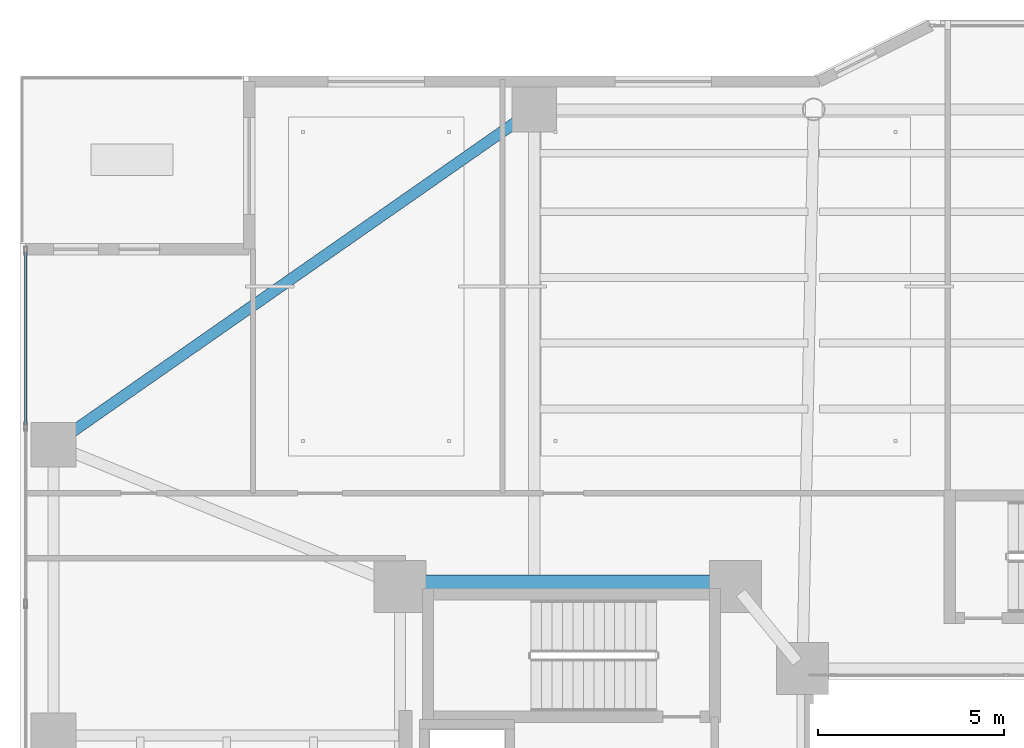
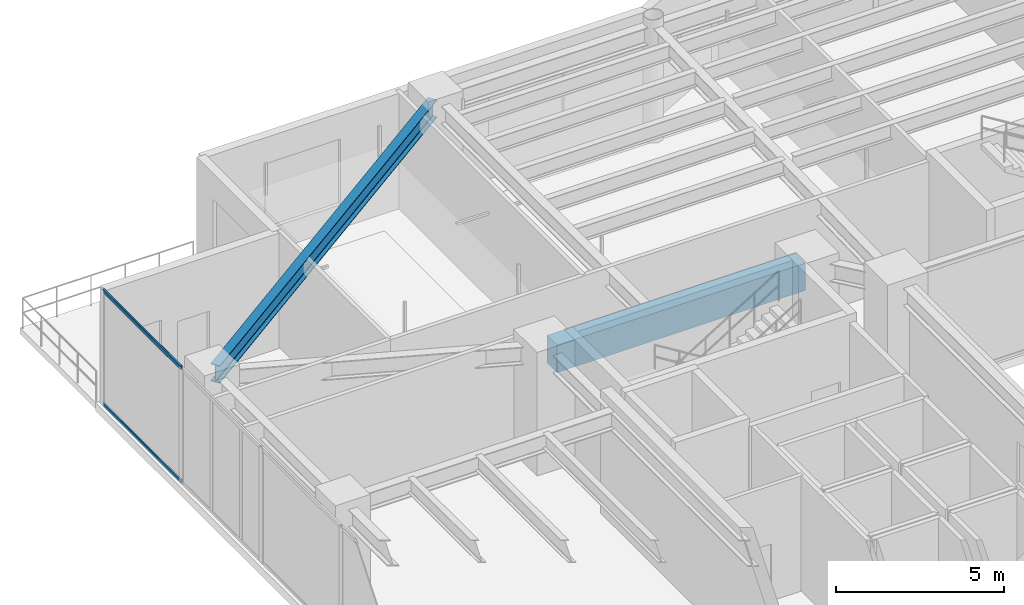
# One storey, part 18 of 40: 2 beams, 2 members, 1 element without a shape of its own.
"""IFC4 building model written with IfcOpenShell, lengths in metres."""

import ifcopenshell
import ifcopenshell.guid

model = None  # the IFC model being written
_history = None  # IfcOwnerHistory: only IFC2X3 demands one
_inside = {}  # id of a spatial element -> (the spatial element, [elements in it])
_under = {}  # id of a project, library or spatial element -> (it, [spatial elements below it])
_declared = {}  # id of a project -> (the project, [libraries it declares])
_typed = {}  # id of a type object -> (the type object, [elements of that type])
_made_of = {}  # id of a material, layer set ... -> (it, [elements and type objects made of it])


def new_model(schema):
    """Start an empty IFC model of exactly this schema.

    Asked for "IFC4X3", IfcOpenShell would pick the latest addendum, in which some entities
    have other attributes; the version numbers below select the first issue.
    IFC2X3 requires an IfcOwnerHistory on every rooted entity: one is made here for all.
    """
    global model, _history
    if schema == "IFC4X3":
        model = ifcopenshell.file(schema_version=(4, 3, 0, 0))
    else:
        model = ifcopenshell.file(schema=schema)
    _inside.clear()
    _under.clear()
    _declared.clear()
    _typed.clear()
    _made_of.clear()
    _history = None
    if model.schema == "IFC2X3":
        org = make("IfcOrganization", Name="unknown")
        user = make(
            "IfcPersonAndOrganization",
            ThePerson=make("IfcPerson", FamilyName="unknown"),
            TheOrganization=org,
        )
        app = make(
            "IfcApplication",
            ApplicationDeveloper=org,
            Version="unknown",
            ApplicationFullName="unknown",
            ApplicationIdentifier="unknown",
        )
        _history = make(
            "IfcOwnerHistory",
            OwningUser=user,
            OwningApplication=app,
            ChangeAction="ADDED",
            CreationDate=0,
        )
    return model


def make(cls, **values):
    """One entity of the class cls with the attributes given. An attribute that is None is left unset."""
    return model.create_entity(
        cls, **{name: value for name, value in values.items() if value is not None}
    )


def rooted(cls, **values):
    """An entity with a GlobalId (a new one), such as an element, a storey or a relation."""
    return make(cls, GlobalId=ifcopenshell.guid.new(), OwnerHistory=_history, **values)


def si_unit(unit_type, name, prefix=None):
    """IfcSIUnit, for example si_unit("LENGTHUNIT", "METRE", prefix="MILLI")."""
    return make("IfcSIUnit", UnitType=unit_type, Prefix=prefix, Name=name)


def assignment(units):
    """IfcUnitAssignment: the units of a project."""
    return None if units is None else make("IfcUnitAssignment", Units=units)


def point(xyz):
    """IfcCartesianPoint."""
    return None if xyz is None else make("IfcCartesianPoint", Coordinates=xyz)


def direction(xyz):
    """IfcDirection."""
    return None if xyz is None else make("IfcDirection", DirectionRatios=xyz)


def frame(location, z_axis=None, x_axis=None):
    """IfcAxis2Placement3D, a coordinate frame: its origin and axes. An axis left out is left unset."""
    return make(
        "IfcAxis2Placement3D",
        Location=point(location),
        Axis=direction(z_axis),
        RefDirection=direction(x_axis),
    )


def frame_2d(location, x_axis=None):
    """IfcAxis2Placement2D, a coordinate frame in the plane: its origin and x axis."""
    return make(
        "IfcAxis2Placement2D", Location=point(location), RefDirection=direction(x_axis)
    )


def origin():
    """The frame at (0, 0, 0) with its axes left unset."""
    return frame((0.0, 0.0, 0.0))


def origin_2d():
    """The frame at (0, 0) in the plane with its x axis left unset."""
    return frame_2d((0.0, 0.0))


def place(relative_to, where):
    """IfcLocalPlacement: puts the frame where relative to a parent placement (None: the world)."""
    return make(
        "IfcLocalPlacement", PlacementRelTo=relative_to, RelativePlacement=where
    )


def context(
    kind, dimensions, precision=None, world=None, true_north=None, identifier=None
):
    """IfcGeometricRepresentationContext, for example the 3D "Model" context."""
    return make(
        "IfcGeometricRepresentationContext",
        ContextIdentifier=identifier,
        ContextType=kind,
        CoordinateSpaceDimension=dimensions,
        Precision=precision,
        WorldCoordinateSystem=world,
        TrueNorth=true_north,
    )


def subcontext(parent, identifier, kind, view, scale=None):
    """IfcGeometricRepresentationSubContext, for example "Body" below "Model"."""
    return make(
        "IfcGeometricRepresentationSubContext",
        ContextIdentifier=identifier,
        ContextType=kind,
        ParentContext=parent,
        TargetScale=scale,
        TargetView=view,
    )


def project(units=None, contexts=None):
    """IfcProject with its units and contexts."""
    return rooted(
        "IfcProject",
        Name="project",
        RepresentationContexts=contexts,
        UnitsInContext=assignment(units),
    )


def spatial(cls, under=None, at=None, **own):
    """A site, building, storey or space (cls), placed at a placement, below another one or the project."""
    s = rooted(cls, ObjectPlacement=at, **own)
    if under is not None:
        _under.setdefault(under.id(), (under, []))[1].append(s)
    return s


def profile(cls, at=None, kind="AREA", **sizes):
    """A parametric profile (cls). Its sizes go by their IFC names, for example OverallWidth=200.0."""
    return make(cls, ProfileType=kind, Position=at, **sizes)


def rectangle(**sizes):
    """IfcRectangleProfileDef."""
    return profile("IfcRectangleProfileDef", **sizes)


def hollow_rectangle(**sizes):
    """IfcRectangleHollowProfileDef."""
    return profile("IfcRectangleHollowProfileDef", **sizes)


def i_section(**sizes):
    """IfcIShapeProfileDef."""
    return profile("IfcIShapeProfileDef", **sizes)


def extrude(swept, where, along, depth):
    """IfcExtrudedAreaSolid: the profile swept, set in the frame where, extruded along a direction by depth."""
    return make(
        "IfcExtrudedAreaSolid",
        SweptArea=swept,
        Position=where,
        ExtrudedDirection=direction(along),
        Depth=depth,
    )


def shape(context_of_items, identifier, shape_type, items):
    """IfcShapeRepresentation: the items that make up one representation, for example the "Body"."""
    return make(
        "IfcShapeRepresentation",
        ContextOfItems=context_of_items,
        RepresentationIdentifier=identifier,
        RepresentationType=shape_type,
        Items=items,
    )


def material(Name=None, Category=None):
    """IfcMaterial."""
    return make("IfcMaterial", Name=Name, Category=Category)


def layer(
    of_material, thickness, ventilated=None, Name=None, Category=None, Priority=None
):
    """IfcMaterialLayer: one layer of a wall or slab, of a material (None: an air gap)."""
    return make(
        "IfcMaterialLayer",
        Material=of_material,
        LayerThickness=thickness,
        IsVentilated=ventilated,
        Name=Name,
        Category=Category,
        Priority=Priority,
    )


def layer_set(layers, Name=None):
    """IfcMaterialLayerSet."""
    return make("IfcMaterialLayerSet", MaterialLayers=layers, LayerSetName=Name)


def material_profile(
    of_material, cross_section, Name=None, Category=None, Priority=None
):
    """IfcMaterialProfile: a cross section and its material."""
    return make(
        "IfcMaterialProfile",
        Name=Name,
        Material=of_material,
        Profile=cross_section,
        Priority=Priority,
        Category=Category,
    )


def profile_set(profiles, Name=None, composite=None):
    """IfcMaterialProfileSet."""
    return make(
        "IfcMaterialProfileSet",
        Name=Name,
        MaterialProfiles=profiles,
        CompositeProfile=composite,
    )


def made_of(thing, what):
    """Note that an element or type object is made of a material, layer set ...; save() writes the relation."""
    if what is not None:
        _made_of.setdefault(what.id(), (what, []))[1].append(thing)
    return thing


def type_object(cls, material=None, **own):
    """A type object (cls), such as IfcWallType, which elements share."""
    return made_of(rooted(cls, **own), material)


def element(
    cls,
    number,
    at=None,
    inside=None,
    cuts=None,
    type_object=None,
    material=None,
    context=None,
    identifier="Body",
    shape_type=None,
    held_by="IfcProductDefinitionShape",
    body=None,
    shapes=None,
    **own,
):
    """One element of the class cls, such as IfcWall. Its Tag is "e" and its number.

    at: its placement. inside: the storey or other place that contains it. cuts: it is an
    opening in that element (IfcRelVoidsElement). A single representation is given by context,
    identifier, shape_type and body (its items); several are given by shapes. held_by: the class
    of the entity that holds the representations. save() writes the other relations.
    """
    e = rooted(cls, Tag="e%d" % number, ObjectPlacement=at, **own)
    if body is not None:
        shapes = [shape(context, identifier, shape_type, body)]
    if shapes is not None:
        e.Representation = make(held_by, Representations=shapes)
    if inside is not None:
        _inside.setdefault(inside.id(), (inside, []))[1].append(e)
    if cuts is not None:
        rooted(
            "IfcRelVoidsElement", RelatingBuildingElement=cuts, RelatedOpeningElement=e
        )
    if type_object is not None:
        _typed.setdefault(type_object.id(), (type_object, []))[1].append(e)
    return made_of(e, material)


def aggregate(whole, parts):
    """IfcRelAggregates: a whole, such as a stair, and the parts it consists of."""
    return rooted("IfcRelAggregates", RelatingObject=whole, RelatedObjects=parts)


def save(model, path):
    """Write the relations noted so far, then the file.

    IfcRelAggregates (storeys below a building ...), IfcRelContainedInSpatialStructure (elements
    in a storey), IfcRelDefinesByType, IfcRelAssociatesMaterial and IfcRelDeclares: one each for
    every whole, place, type object, material and project.
    """
    for whole, parts in _under.values():
        aggregate(whole, parts)
    for where, things in _inside.values():
        rooted(
            "IfcRelContainedInSpatialStructure",
            RelatedElements=things,
            RelatingStructure=where,
        )
    for kind, things in _typed.values():
        rooted("IfcRelDefinesByType", RelatedObjects=things, RelatingType=kind)
    for what, things in _made_of.values():
        rooted("IfcRelAssociatesMaterial", RelatedObjects=things, RelatingMaterial=what)
    for by, libraries in _declared.values():
        rooted("IfcRelDeclares", RelatingContext=by, RelatedDefinitions=libraries)
    model.write(path)


model = new_model("IFC4")

# Units and contexts
model_context = context("Model", 3, precision=1e-05, world=origin(), true_north=direction((0.0, 1.0)))
body_context = subcontext(model_context, "Body", "Model", "MODEL_VIEW")
ifc_project = project(units=[si_unit("LENGTHUNIT", "METRE"), si_unit("AREAUNIT", "SQUARE_METRE"), si_unit("VOLUMEUNIT", "CUBIC_METRE"), si_unit("PLANEANGLEUNIT", "RADIAN"), si_unit("MASSUNIT", "GRAM", prefix="KILO")], contexts=[model_context])

# Site, building, storey
site_placement = place(None, origin())
site = spatial("IfcSite", under=ifc_project, at=site_placement, CompositionType="ELEMENT")
building_placement = place(site_placement, origin())
building = spatial("IfcBuilding", under=site, at=building_placement, Name="Tarnavaz Court Tower", CompositionType="ELEMENT")
storey_placement = place(building_placement, frame((0.0, 0.0, 64.199951171875)))
storey = spatial("IfcBuildingStorey", under=building, at=storey_placement, Name="L17", CompositionType="ELEMENT", Elevation=64.199951171875)

# Beams
ifc_material_1 = material(Name="Concrete C60/75", Category="concrete")
ifc_material_profile_1 = material_profile(ifc_material_1, rectangle(XDim=0.60009765625, YDim=1.0, at=origin_2d()), Name="RC 600X1000")
ifc_profile_set_1 = profile_set([ifc_material_profile_1], Name="Concrete C60/75")
beam_type_1 = type_object("IfcBeamType", Name="BM-CB1000", PredefinedType="LINTEL", material=ifc_profile_set_1)
beam_1_placement = place(storey_placement, frame((-18.3798828125, 10.0, 3.699951171875), z_axis=(1.0, 0.0, 0.0), x_axis=(0.0, 1.0, 0.0)))
element("IfcBeam", 1, at=beam_1_placement, inside=storey, type_object=beam_type_1, Name="L17 Beam IN-CW-NO-CW-NI", PredefinedType="LINTEL", context=body_context, shape_type="SweptSolid", body=[
    extrude(rectangle(XDim=0.60009765625, YDim=1.0, at=origin_2d()), origin(), (0.0, 0.0, 1.0), 8.559814453125),
])
ifc_material_2 = material(Name="Steel S355", Category="steel")
ifc_material_profile_2 = material_profile(ifc_material_2, i_section(OverallWidth=0.300048828125, OverallDepth=0.639892578125, WebThickness=0.013427734375, FlangeThickness=0.02587890625, FilletRadius=0.027099609375, at=origin_2d()), Name="HEA 650")
ifc_profile_set_2 = profile_set([ifc_material_profile_2], Name="Steel S355")
beam_type_2 = type_object("IfcBeamType", Name="BM-SP-HEA650", PredefinedType="SPANDREL", material=ifc_profile_set_2)
beam_2_placement = place(storey_placement, frame((-27.719482421875, 13.92578125, 3.880126953125), z_axis=(0.820123643324, 0.572186341729, 0.0), x_axis=(-0.572186341729, 0.820123643324, 0.0)))
element("IfcBeam", 2, at=beam_2_placement, inside=storey, type_object=beam_type_2, Name="L17 Beam PR-PW-4-PN-1", PredefinedType="SPANDREL", context=body_context, shape_type="SweptSolid", body=[
    extrude(i_section(OverallWidth=0.300048828125, OverallDepth=0.639892578125, WebThickness=0.013427734375, FlangeThickness=0.02587890625, FilletRadius=0.027099609375, at=origin_2d()), origin(), (0.0, 0.0, 1.0), 15.289306640625),
])

# Curtain wall, members
ifc_material_3 = material(Name="Anodised Aluminium 6063-T6 and Solar Low-E Glazing", Category="aluminium")
ifc_layer = layer(ifc_material_3, 0.199951171875)
ifc_layer_set = layer_set([ifc_layer], Name="Anodised Aluminium 6063-T6 and Solar Low-E Glazing")
curtain_wall_type = type_object("IfcCurtainWallType", Name="CW-SYS-05", PredefinedType="NOTDEFINED", material=ifc_layer_set)
curtain_wall_placement = place(storey_placement, origin())
curtain_wall = element("IfcCurtainWall", 3, at=curtain_wall_placement, inside=storey, type_object=curtain_wall_type, Name="L17 Sky-Portal Curtain Wall 2", PredefinedType="NOTDEFINED")
ifc_material_4 = material(Name="Anodised Aluminium 6063-T6", Category="aluminium")
ifc_material_profile_3 = material_profile(ifc_material_4, hollow_rectangle(XDim=0.06494140625, YDim=0.139892578125, WallThickness=0.00390625, InnerFilletRadius=0.00390625, OuterFilletRadius=0.008056640625, at=origin_2d()), Name="ALU RHS 140X65X4")
ifc_profile_set_3 = profile_set([ifc_material_profile_3], Name="Anodised Aluminium 6063-T6")
member_type = type_object("IfcMemberType", Name="CW-TRN-140", PredefinedType="USERDEFINED", material=ifc_profile_set_3)
member_1_placement = place(storey_placement, frame((-28.64990234375, 14.330078125, 0.032470703125), z_axis=(0.0, 1.0, 0.0), x_axis=(-1.0, 0.0, 0.0)))
member_1 = element("IfcMember", 4, at=member_1_placement, type_object=member_type, Name="CW transom 8.1", ObjectType="TRANSOM", PredefinedType="USERDEFINED", context=body_context, shape_type="SweptSolid", body=[
    extrude(hollow_rectangle(XDim=0.06494140625, YDim=0.139892578125, WallThickness=0.00390625, InnerFilletRadius=0.00390625, OuterFilletRadius=0.008056640625, at=origin_2d()), origin(), (0.0, 0.0, 1.0), 4.635009765625),
])
member_2_placement = place(storey_placement, frame((-28.64990234375, 14.330078125, 4.16748046875), z_axis=(0.0, 1.0, 0.0), x_axis=(-1.0, 0.0, 0.0)))
member_2 = element("IfcMember", 5, at=member_2_placement, type_object=member_type, Name="CW transom 8.2", ObjectType="TRANSOM", PredefinedType="USERDEFINED", context=body_context, shape_type="SweptSolid", body=[
    extrude(hollow_rectangle(XDim=0.06494140625, YDim=0.139892578125, WallThickness=0.00390625, InnerFilletRadius=0.00390625, OuterFilletRadius=0.008056640625, at=origin_2d()), origin(), (0.0, 0.0, 1.0), 4.635009765625),
])
aggregate(curtain_wall, [member_1, member_2])

save(model, "model.ifc")
